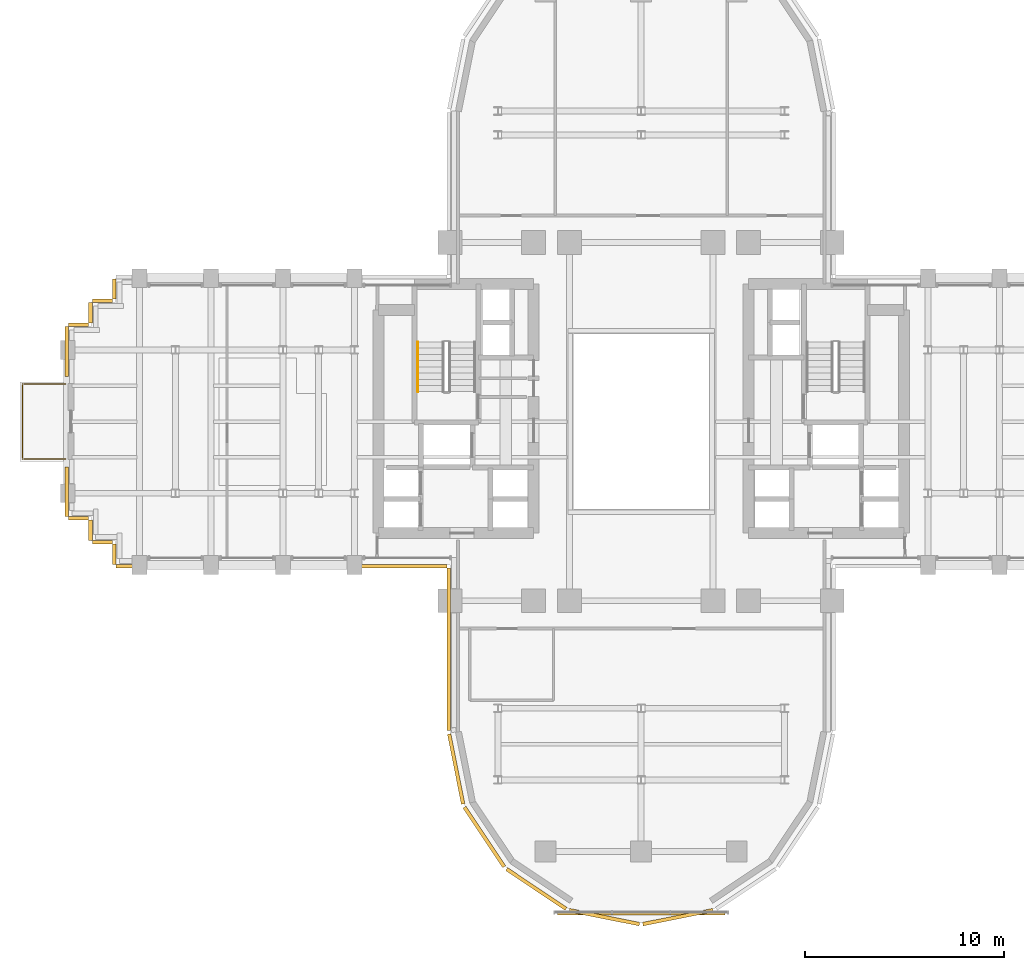
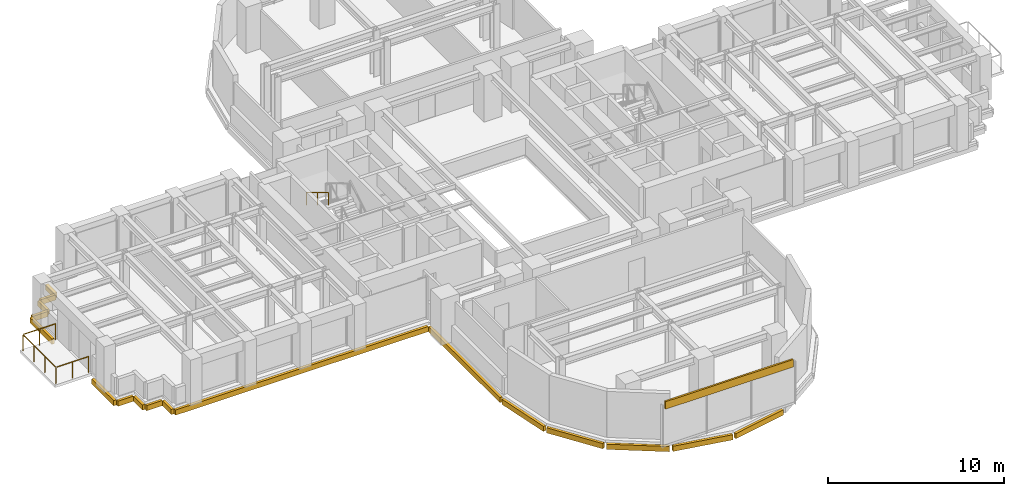
# One storey, part 13 of 15: 18 coverings, 2 railings.
"""IFC4 building model written with IfcOpenShell, lengths in metres."""

from ifc_helpers import new_model, si_unit, direction, frame, origin, origin_2d, place, context, subcontext, project, spatial, rectangle, extrude, source, transform, mapped, material, layer, layer_set, type_object, element, save


model = new_model("IFC4")

# Units and contexts
model_context = context("Model", 3, precision=1e-05, world=origin(), true_north=direction((0.0, 1.0)))
body_context = subcontext(model_context, "Body", "Model", "MODEL_VIEW")
ifc_project = project(units=[si_unit("LENGTHUNIT", "METRE"), si_unit("AREAUNIT", "SQUARE_METRE"), si_unit("VOLUMEUNIT", "CUBIC_METRE"), si_unit("PLANEANGLEUNIT", "RADIAN"), si_unit("MASSUNIT", "GRAM", prefix="KILO")], contexts=[model_context])

# Site, building, storey
site_placement = place(None, origin())
site = spatial("IfcSite", under=ifc_project, at=site_placement, CompositionType="ELEMENT")
building_placement = place(site_placement, origin())
building = spatial("IfcBuilding", under=site, at=building_placement, Name="Keilestroom Media Tower", CompositionType="ELEMENT")
storey_placement = place(building_placement, frame((0.0, 0.0, 40.800048828125)))
storey = spatial("IfcBuildingStorey", under=building, at=storey_placement, Name="L09", CompositionType="ELEMENT", Elevation=40.800048828125)

# Railings
ifc_material_1 = material(Name="Brushed Stainless Steel 1.4301", Category="steel")
railing_type_1 = type_object("IfcRailingType", Name="Stair-Pitch-Handrail-920", PredefinedType="HANDRAIL", material=ifc_material_1)
railing_1_placement = place(storey_placement, frame((-11.2099609375, 3.99609375, 1.888916015625)))
element("IfcRailing", 1, at=railing_1_placement, inside=storey, type_object=railing_type_1, Name="L09 ST-1 stair handrail 2", PredefinedType="HANDRAIL", context=body_context, shape_type="SweptSolid", body=[
    extrude(rectangle(XDim=0.048095703125, YDim=0.048095703125, at=origin_2d()), frame((0.0, 0.0, 0.8759765625), z_axis=(0.0, -0.855470815493, 0.517851024754), x_axis=(1.0, 0.0, 0.0)), (0.0, 0.0, 1.0), 2.917724609375),
    extrude(rectangle(XDim=0.0419921875, YDim=0.0419921875, at=origin_2d()), origin(), (0.0, 0.0, 1.0), 0.84375),
    extrude(rectangle(XDim=0.0419921875, YDim=0.0419921875, at=origin_2d()), frame((0.0, -1.248046875, 0.75537109375)), (0.0, 0.0, 1.0), 0.84375),
    extrude(rectangle(XDim=0.0419921875, YDim=0.0419921875, at=origin_2d()), frame((0.0, -2.49609375, 1.510986328125)), (0.0, 0.0, 1.0), 0.84375),
])
ifc_material_2 = material(Name="Laminated Safety Glass & Stainless Steel", Category="steel")
railing_type_2 = type_object("IfcRailingType", Name="Terrace-And-Atrium-Guard-Balustrade-GD-EXT", PredefinedType="BALUSTRADE", material=ifc_material_2)
railing_2_placement = place(storey_placement, frame((-28.919921875, -1.8798828125, 0.0)))
element("IfcRailing", 2, at=railing_2_placement, inside=storey, type_object=railing_type_2, Name="L09 Terrace Perimeter Guard L09-W", PredefinedType="BALUSTRADE", context=body_context, shape_type="SweptSolid", body=[
    extrude(rectangle(XDim=0.048095703125, YDim=0.048095703125, at=origin_2d()), frame((0.0, 0.0, 1.1259765625), z_axis=(-1.0, 0.0, 0.0), x_axis=(0.0, -1.0, 0.0)), (0.0, 0.0, 1.0), 2.112060546875),
    extrude(rectangle(XDim=0.048095703125, YDim=0.048095703125, at=origin_2d()), frame((-2.16015625, 0.048095703125, 1.1259765625), z_axis=(0.0, 1.0, 0.0), x_axis=(-1.0, 0.0, 0.0)), (0.0, 0.0, 1.0), 3.66357421875),
    extrude(rectangle(XDim=0.048095703125, YDim=0.048095703125, at=origin_2d()), frame((-2.112060546875, 3.759765625, 1.1259765625), z_axis=(1.0, 0.0, 0.0), x_axis=(0.0, 1.0, 0.0)), (0.0, 0.0, 1.0), 2.112060546875),
    extrude(rectangle(XDim=0.0419921875, YDim=0.0419921875, at=origin_2d()), origin(), (0.0, 0.0, 1.0), 1.09375),
    extrude(rectangle(XDim=0.0419921875, YDim=0.0419921875, at=origin_2d()), frame((-1.080078125, 0.0, 0.0)), (0.0, 0.0, 1.0), 1.09375),
    extrude(rectangle(XDim=0.0419921875, YDim=0.0419921875, at=origin_2d()), frame((-2.16015625, 0.0, 0.0)), (0.0, 0.0, 1.0), 1.09375),
    extrude(rectangle(XDim=0.0419921875, YDim=0.0419921875, at=origin_2d()), frame((-2.16015625, 1.253173828125, 0.0)), (0.0, 0.0, 1.0), 1.09375),
    extrude(rectangle(XDim=0.0419921875, YDim=0.0419921875, at=origin_2d()), frame((-2.16015625, 2.506591796875, 0.0)), (0.0, 0.0, 1.0), 1.09375),
    extrude(rectangle(XDim=0.0419921875, YDim=0.0419921875, at=origin_2d()), frame((-2.16015625, 3.759765625, 0.0)), (0.0, 0.0, 1.0), 1.09375),
    extrude(rectangle(XDim=0.0419921875, YDim=0.0419921875, at=origin_2d()), frame((-1.080078125, 3.759765625, 0.0)), (0.0, 0.0, 1.0), 1.09375),
    extrude(rectangle(XDim=0.0419921875, YDim=0.0419921875, at=origin_2d()), frame((0.0, 3.759765625, 0.0)), (0.0, 0.0, 1.0), 1.09375),
])

# Coverings
ifc_material_3 = material(Name="Precast concrete C40/50", Category="concrete")
ifc_layer = layer(ifc_material_3, 0.1201171875)
ifc_layer_set = layer_set([ifc_layer], Name="Precast concrete C40/50")
covering_type = type_object("IfcCoveringType", Name="Exterior-Precast-Spandrel-Cladding-Panel-120", PredefinedType="CLADDING", material=ifc_layer_set)
shared_shape_1 = source(origin(), body_context, "Body", "SweptSolid", [
    extrude(rectangle(XDim=8.39990234375, YDim=0.1201171875, at=origin_2d()), origin(), (0.0, 0.0, 1.0), 0.52001953125),
])
covering_1_placement = place(storey_placement, frame((0.0, -24.719970703125, 2.68994140625), z_axis=(0.0, 0.0, 1.0), x_axis=(1.0, 0.0, 0.0)))
element("IfcCovering", 3, at=covering_1_placement, inside=storey, type_object=covering_type, Name="L09 Precast Spandrel Cladding S", PredefinedType="CLADDING", context=body_context, shape_type="MappedRepresentation", body=[
    mapped(shared_shape_1, transform((0.0, 0.0, 0.0), x_axis=(1.0, 0.0, 0.0), y_axis=(0.0, 1.0, 0.0), z_axis=(0.0, 0.0, 1.0), scale=1.0)),
])
shared_shape_2 = source(origin(), body_context, "Body", "SweptSolid", [
    extrude(rectangle(XDim=1.02001953125, YDim=0.179931640625, at=origin_2d()), origin(), (0.0, 0.0, 1.0), 0.360107421875),
])
for number, where, z_axis, x_axis, name in (
    (4, (-26.4599609375, -6.659912109375, -0.5400390625), (0.0, 0.0, 1.0), (0.0, 1.0, 0.0), "L09 Precast Slab-Edge Fascia Cornice 17"),
    (5, (-27.06005859375, -6.06005859375, -0.5400390625), (0.0, 0.0, 1.0), (-1.0, 0.0, 0.0), "L09 Precast Slab-Edge Fascia Cornice 18"),
    (6, (-27.659912109375, -5.4599609375, -0.5400390625), (0.0, 0.0, 1.0), (0.0, 1.0, 0.0), "L09 Precast Slab-Edge Fascia Cornice 19"),
    (7, (-28.260009765625, -4.860107421875, -0.5400390625), (0.0, 0.0, 1.0), (-1.0, 0.0, 0.0), "L09 Precast Slab-Edge Fascia Cornice 20"),
    (8, (-28.260009765625, 4.860107421875, -0.5400390625), (0.0, 0.0, 1.0), (1.0, 0.0, 0.0), "L09 Precast Slab-Edge Fascia Cornice 23"),
    (9, (-27.659912109375, 5.4599609375, -0.5400390625), (0.0, 0.0, 1.0), (0.0, 1.0, 0.0), "L09 Precast Slab-Edge Fascia Cornice 24"),
    (10, (-27.06005859375, 6.06005859375, -0.5400390625), (0.0, 0.0, 1.0), (1.0, 0.0, 0.0), "L09 Precast Slab-Edge Fascia Cornice 25"),
    (11, (-26.4599609375, 6.659912109375, -0.5400390625), (0.0, 0.0, 1.0), (0.0, 1.0, 0.0), "L09 Precast Slab-Edge Fascia Cornice 26"),
):
    element("IfcCovering", number, at=place(storey_placement, frame(where, z_axis=z_axis, x_axis=x_axis)), inside=storey, type_object=covering_type, Name=name, PredefinedType="CLADDING", context=body_context, shape_type="MappedRepresentation", body=[
        mapped(shared_shape_2, transform((0.0, 0.0, 0.0), x_axis=(1.0, 0.0, 0.0), y_axis=(0.0, 1.0, 0.0), z_axis=(0.0, 0.0, 1.0), scale=1.0)),
    ])
shared_shape_3 = source(origin(), body_context, "Body", "SweptSolid", [
    extrude(rectangle(XDim=16.6201171875, YDim=0.179931640625, at=origin_2d()), origin(), (0.0, 0.0, 1.0), 0.360107421875),
])
covering_2_placement = place(storey_placement, frame((-18.06005859375, -7.260009765625, -0.5400390625), z_axis=(0.0, 0.0, 1.0), x_axis=(-1.0, 0.0, 0.0)))
element("IfcCovering", 12, at=covering_2_placement, inside=storey, type_object=covering_type, Name="L09 Precast Slab-Edge Fascia Cornice 16", PredefinedType="CLADDING", context=body_context, shape_type="MappedRepresentation", body=[
    mapped(shared_shape_3, transform((0.0, 0.0, 0.0), x_axis=(1.0, 0.0, 0.0), y_axis=(0.0, 1.0, 0.0), z_axis=(0.0, 0.0, 1.0), scale=1.0)),
])
shared_shape_4 = source(origin(), body_context, "Body", "SweptSolid", [
    extrude(rectangle(XDim=8.166015625, YDim=0.179931640625, at=origin_2d()), origin(), (0.0, 0.0, 1.0), 0.360107421875),
])
covering_3_placement = place(storey_placement, frame((-9.659912109375, -11.43310546875, -0.5400390625), z_axis=(0.0, 0.0, 1.0), x_axis=(0.0, 1.0, 0.0)))
element("IfcCovering", 13, at=covering_3_placement, inside=storey, type_object=covering_type, Name="L09 Precast Slab-Edge Fascia Cornice 15", PredefinedType="CLADDING", context=body_context, shape_type="MappedRepresentation", body=[
    mapped(shared_shape_4, transform((0.0, 0.0, 0.0), x_axis=(1.0, 0.0, 0.0), y_axis=(0.0, 1.0, 0.0), z_axis=(0.0, 0.0, 1.0), scale=1.0)),
])
shared_shape_5 = source(origin(), body_context, "Body", "SweptSolid", [
    extrude(rectangle(XDim=3.58349609375, YDim=0.179931640625, at=origin_2d()), origin(), (0.0, 0.0, 1.0), 0.360107421875),
])
covering_4_placement = place(storey_placement, frame((-9.29296875, -17.45166015625, -0.5400390625), z_axis=(0.0, 0.0, 1.0), x_axis=(-0.195098880975, 0.980783577882, 0.0)))
element("IfcCovering", 14, at=covering_4_placement, inside=storey, type_object=covering_type, Name="L09 Precast Slab-Edge Fascia Cornice 14", PredefinedType="CLADDING", context=body_context, shape_type="MappedRepresentation", body=[
    mapped(shared_shape_5, transform((0.0, 0.0, 0.0), x_axis=(1.0, 0.0, 0.0), y_axis=(0.0, 1.0, 0.0), z_axis=(0.0, 0.0, 1.0), scale=1.0)),
])
shared_shape_6 = source(origin(), body_context, "Body", "SweptSolid", [
    extrude(rectangle(XDim=3.589599609375, YDim=0.179931640625, at=origin_2d()), origin(), (0.0, 0.0, 1.0), 0.360107421875),
])
for number, where, z_axis, x_axis, name in (
    (15, (1.8486328125, -24.893310546875, -0.5400390625), (0.0, 0.0, 1.0), (-0.980783577882, -0.195098880975, 0.0), "L09 Precast Slab-Edge Fascia Cornice 10"),
    (16, (-1.8486328125, -24.893310546875, -0.5400390625), (0.0, 0.0, 1.0), (-0.980783577882, 0.195098880975, 0.0), "L09 Precast Slab-Edge Fascia Cornice 11"),
    (17, (-5.264404296875, -23.478515625, -0.5400390625), (0.0, 0.0, 1.0), (-0.831466703332, 0.555574586577, 0.0), "L09 Precast Slab-Edge Fascia Cornice 12"),
    (18, (-7.878662109375, -20.8642578125, -0.5400390625), (0.0, 0.0, 1.0), (-0.555574586577, 0.831466703332, 0.0), "L09 Precast Slab-Edge Fascia Cornice 13"),
):
    element("IfcCovering", number, at=place(storey_placement, frame(where, z_axis=z_axis, x_axis=x_axis)), inside=storey, type_object=covering_type, Name=name, PredefinedType="CLADDING", context=body_context, shape_type="MappedRepresentation", body=[
        mapped(shared_shape_6, transform((0.0, 0.0, 0.0), x_axis=(1.0, 0.0, 0.0), y_axis=(0.0, 1.0, 0.0), z_axis=(0.0, 0.0, 1.0), scale=1.0)),
    ])
shared_shape_7 = source(origin(), body_context, "Body", "SweptSolid", [
    extrude(rectangle(XDim=2.5, YDim=0.179931640625, at=origin_2d()), origin(), (0.0, 0.0, 1.0), 0.360107421875),
])
for number, where, z_axis, x_axis, name in (
    (19, (-28.860107421875, -3.52001953125, -0.5400390625), (0.0, 0.0, 1.0), (0.0, 1.0, 0.0), "L09 Precast Slab-Edge Fascia Cornice 21"),
    (20, (-28.860107421875, 3.52001953125, -0.5400390625), (0.0, 0.0, 1.0), (0.0, 1.0, 0.0), "L09 Precast Slab-Edge Fascia Cornice 22"),
):
    element("IfcCovering", number, at=place(storey_placement, frame(where, z_axis=z_axis, x_axis=x_axis)), inside=storey, type_object=covering_type, Name=name, PredefinedType="CLADDING", context=body_context, shape_type="MappedRepresentation", body=[
        mapped(shared_shape_7, transform((0.0, 0.0, 0.0), x_axis=(1.0, 0.0, 0.0), y_axis=(0.0, 1.0, 0.0), z_axis=(0.0, 0.0, 1.0), scale=1.0)),
    ])

save(model, "model.ifc")
